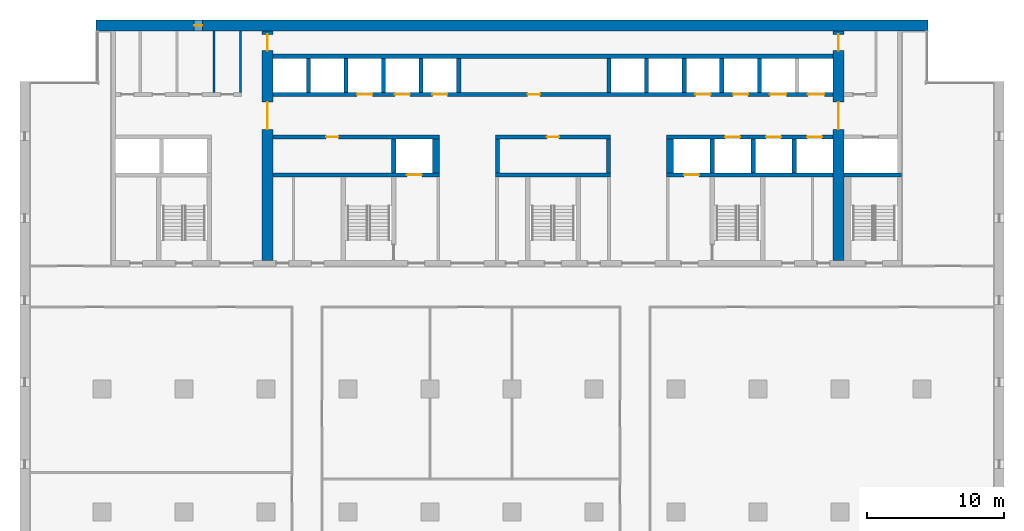
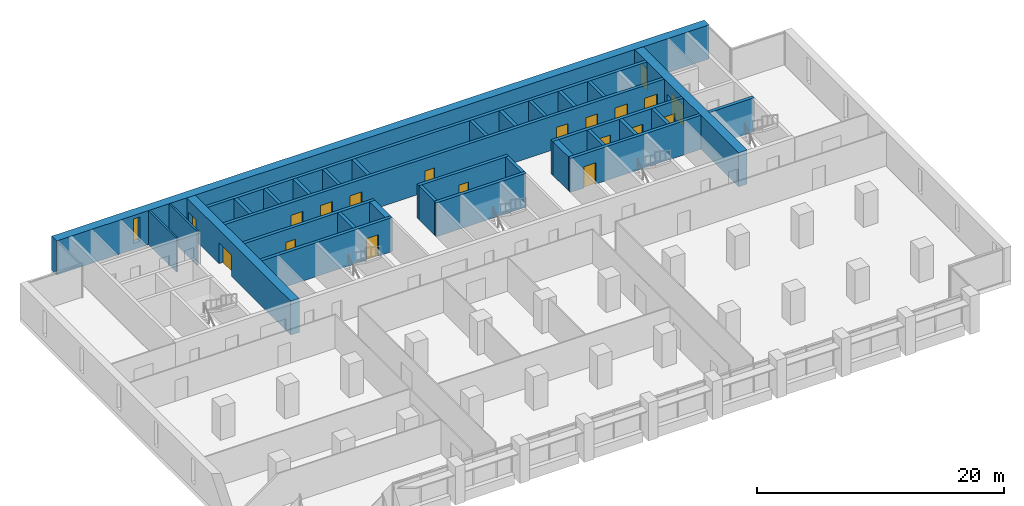
# One storey, part 10 of 15: 32 walls, 19 doors, 1 window, 20 openings.
"""IFC4 building model written with IfcOpenShell, lengths in metres."""

from ifc_helpers import new_model, si_unit, direction, frame, frame_2d, origin, place, context, subcontext, project, spatial, rectangle, extrude, material, layer, layer_set, type_object, element, fill, save


model = new_model("IFC4")

# Units and contexts
model_context = context("Model", 3, precision=1e-05, world=origin(), true_north=direction((0.0, 1.0)))
body_context = subcontext(model_context, "Body", "Model", "MODEL_VIEW")
ifc_project = project(units=[si_unit("LENGTHUNIT", "METRE"), si_unit("AREAUNIT", "SQUARE_METRE"), si_unit("VOLUMEUNIT", "CUBIC_METRE"), si_unit("PLANEANGLEUNIT", "RADIAN"), si_unit("MASSUNIT", "GRAM", prefix="KILO")], contexts=[model_context])

# Site, building, storey
site_placement = place(None, origin())
site = spatial("IfcSite", under=ifc_project, at=site_placement, CompositionType="ELEMENT")
building_placement = place(site_placement, origin())
building = spatial("IfcBuilding", under=site, at=building_placement, Name="Calvaro Tower", CompositionType="ELEMENT")
storey_placement = place(building_placement, frame((0.0, 0.0, 121.25)))
storey = spatial("IfcBuildingStorey", under=building, at=storey_placement, Name="L30", CompositionType="ELEMENT", Elevation=121.25)

# Walls
ifc_material_1 = material(Name="Blockwork partition", Category="masonry")
ifc_layer_1 = layer(ifc_material_1, 0.14990234375)
ifc_layer_set_1 = layer_set([ifc_layer_1], Name="Blockwork partition")
wall_type_1 = type_object("IfcWallType", Name="Core partition 150 EI 60", PredefinedType="PARTITIONING", material=ifc_layer_set_1)
wall_1_placement = place(storey_placement, frame((14.199951171875, 40.699951171875, 0.0), z_axis=(0.0, 0.0, 1.0), x_axis=(0.0, 1.0, 0.0)))
element("IfcWall", 1, at=wall_1_placement, inside=storey, type_object=wall_type_1, Name="Core partition", PredefinedType="PARTITIONING", context=body_context, shape_type="SweptSolid", body=[
    extrude(rectangle(XDim=4.5, YDim=0.14990234375, at=frame_2d((2.25, 0.0))), origin(), (0.0, 0.0, 1.0), 3.35009765625),
])
ifc_material_2 = material(Name="Blockwork partition", Category="masonry")
ifc_layer_2 = layer(ifc_material_2, 0.14990234375)
ifc_layer_set_2 = layer_set([ifc_layer_2], Name="Blockwork partition")
wall_type_2 = type_object("IfcWallType", Name="Core partition 150 REI 120", PredefinedType="PARTITIONING", material=ifc_layer_set_2)
wall_2_placement = place(storey_placement, frame((16.125, 40.699951171875, 0.0), z_axis=(0.0, 0.0, 1.0), x_axis=(0.0, 1.0, 0.0)))
element("IfcWall", 2, at=wall_2_placement, inside=storey, type_object=wall_type_2, Name="Core partition", PredefinedType="PARTITIONING", context=body_context, shape_type="SweptSolid", body=[
    extrude(rectangle(XDim=4.5, YDim=0.14990234375, at=frame_2d((2.25, 0.0))), origin(), (0.0, 0.0, 1.0), 3.35009765625),
])

# Wall, opening, door
ifc_material_3 = material(Name="Concrete C60/75", Category="concrete")
ifc_layer_3 = layer(ifc_material_3, 0.300048828125)
ifc_layer_set_3 = layer_set([ifc_layer_3], Name="Concrete C60/75")
wall_type_3 = type_object("IfcWallType", Name="Core wall C60/75 300", PredefinedType="SHEAR", material=ifc_layer_set_3)
wall_3_placement = place(storey_placement, frame((18.5, 34.64990234375, 0.0), z_axis=(0.0, 0.0, 1.0), x_axis=(1.0, 0.0, 0.0)))
wall_3 = element("IfcWall", 3, at=wall_3_placement, inside=storey, type_object=wall_type_3, Name="Core wall, lift shaft", PredefinedType="SHEAR", context=body_context, shape_type="SweptSolid", body=[
    extrude(rectangle(XDim=12.199951171875, YDim=0.300048828125, at=frame_2d((6.10009765625, 0.0))), origin(), (0.0, 0.0, 1.0), 3.35009765625),
])
opening_1_placement = place(wall_3_placement, frame((9.800048828125, 0.0, 0.0)))
opening_1 = element("IfcOpeningElement", 4, at=opening_1_placement, cuts=wall_3, Name="Opening FF1", PredefinedType="OPENING", context=body_context, shape_type="SweptSolid", body=[
    extrude(rectangle(XDim=1.10009765625, YDim=2.10009765625, at=frame_2d((0.550048828125, 1.050048828125))), frame((0.0, 0.159912109375, 0.0), z_axis=(0.0, -1.0, 0.0), x_axis=(1.0, 0.0, 0.0)), (0.0, 0.0, 1.0), 0.320068359375),
])
ifc_material_4 = material(Name="Stainless steel", Category="steel")
door_type_1 = type_object("IfcDoorType", Name="Landing door 1100 E 60", OperationType="SLIDING_TO_LEFT", PredefinedType="DOOR", material=ifc_material_4)
door_1_placement = place(opening_1_placement, origin())
door_1 = element("IfcDoor", 5, at=door_1_placement, inside=storey, type_object=door_type_1, Name="Landing door FF1", OperationType="SLIDING_TO_LEFT", OverallHeight=2.10009765625, OverallWidth=1.10009765625, PredefinedType="DOOR", context=body_context, shape_type="SweptSolid", body=[
    extrude(rectangle(XDim=1.10009765625, YDim=2.10009765625, at=frame_2d((0.550048828125, 1.050048828125))), frame((0.0, 0.02490234375, 0.0), z_axis=(0.0, -1.0, 0.0), x_axis=(1.0, 0.0, 0.0)), (0.0, 0.0, 1.0), 0.050048828125),
])
fill(opening_1, door_1)

# Wall
wall_4_placement = place(storey_placement, frame((34.800048828125, 34.64990234375, 0.0), z_axis=(0.0, 0.0, 1.0), x_axis=(1.0, 0.0, 0.0)))
element("IfcWall", 6, at=wall_4_placement, inside=storey, type_object=wall_type_3, Name="Core wall, lift shaft", PredefinedType="SHEAR", context=body_context, shape_type="SweptSolid", body=[
    extrude(rectangle(XDim=8.39990234375, YDim=0.300048828125, at=frame_2d((4.199951171875, 0.0))), origin(), (0.0, 0.0, 1.0), 3.35009765625),
])

# Wall, opening, door
wall_5_placement = place(storey_placement, frame((47.300048828125, 34.64990234375, 0.0), z_axis=(0.0, 0.0, 1.0), x_axis=(1.0, 0.0, 0.0)))
wall_5 = element("IfcWall", 7, at=wall_5_placement, inside=storey, type_object=wall_type_3, Name="Core wall, lift shaft", PredefinedType="SHEAR", context=body_context, shape_type="SweptSolid", body=[
    extrude(rectangle(XDim=12.199951171875, YDim=0.300048828125, at=frame_2d((6.10009765625, 0.0))), origin(), (0.0, 0.0, 1.0), 3.35009765625),
])
opening_2_placement = place(wall_5_placement, frame((1.300048828125, 0.0, 0.0)))
opening_2 = element("IfcOpeningElement", 8, at=opening_2_placement, cuts=wall_5, Name="Opening FF2", PredefinedType="OPENING", context=body_context, shape_type="SweptSolid", body=[
    extrude(rectangle(XDim=1.10009765625, YDim=2.10009765625, at=frame_2d((0.550048828125, 1.050048828125))), frame((0.0, 0.159912109375, 0.0), z_axis=(0.0, -1.0, 0.0), x_axis=(1.0, 0.0, 0.0)), (0.0, 0.0, 1.0), 0.320068359375),
])
door_2_placement = place(opening_2_placement, origin())
door_2 = element("IfcDoor", 9, at=door_2_placement, inside=storey, type_object=door_type_1, Name="Landing door FF2", OperationType="SLIDING_TO_LEFT", OverallHeight=2.10009765625, OverallWidth=1.10009765625, PredefinedType="DOOR", context=body_context, shape_type="SweptSolid", body=[
    extrude(rectangle(XDim=1.10009765625, YDim=2.10009765625, at=frame_2d((0.550048828125, 1.050048828125))), frame((0.0, 0.02490234375, 0.0), z_axis=(0.0, -1.0, 0.0), x_axis=(1.0, 0.0, 0.0)), (0.0, 0.0, 1.0), 0.050048828125),
])
fill(opening_2, door_2)

# Wall
wall_6_placement = place(storey_placement, frame((60.300048828125, 34.64990234375, 0.0), z_axis=(0.0, 0.0, 1.0), x_axis=(1.0, 0.0, 0.0)))
element("IfcWall", 10, at=wall_6_placement, inside=storey, type_object=wall_type_3, Name="Core wall, lift shaft", PredefinedType="SHEAR", context=body_context, shape_type="SweptSolid", body=[
    extrude(rectangle(XDim=4.199951171875, YDim=0.300048828125, at=frame_2d((2.10009765625, 0.0))), origin(), (0.0, 0.0, 1.0), 3.35009765625),
])

# Wall, opening, door
wall_7_placement = place(storey_placement, frame((30.699951171875, 37.449951171875, 0.0), z_axis=(0.0, 0.0, 1.0), x_axis=(-1.0, 0.0, 0.0)))
wall_7 = element("IfcWall", 11, at=wall_7_placement, inside=storey, type_object=wall_type_3, Name="Core wall, bay", PredefinedType="SHEAR", context=body_context, shape_type="SweptSolid", body=[
    extrude(rectangle(XDim=12.199951171875, YDim=0.300048828125, at=frame_2d((6.10009765625, 0.0))), origin(), (0.0, 0.0, 1.0), 3.35009765625),
])
opening_3_placement = place(wall_7_placement, frame((7.39990234375, 0.0, 0.0)))
opening_3 = element("IfcOpeningElement", 12, at=opening_3_placement, cuts=wall_7, Name="Opening RD9E", PredefinedType="OPENING", context=body_context, shape_type="SweptSolid", body=[
    extrude(rectangle(XDim=0.89990234375, YDim=2.10009765625, at=frame_2d((0.449951171875, 1.050048828125))), frame((0.0, 0.159912109375, 0.0), z_axis=(0.0, -1.0, 0.0), x_axis=(1.0, 0.0, 0.0)), (0.0, 0.0, 1.0), 0.320068359375),
])
ifc_material_5 = material(Name="Steel door set", Category="steel")
door_type_2 = type_object("IfcDoorType", Name="Room door 900 FD60", OperationType="SINGLE_SWING_LEFT", PredefinedType="DOOR", material=ifc_material_5)
door_3_placement = place(opening_3_placement, origin())
door_3 = element("IfcDoor", 13, at=door_3_placement, inside=storey, type_object=door_type_2, Name="Room door", OperationType="SINGLE_SWING_LEFT", OverallHeight=2.10009765625, OverallWidth=0.89990234375, PredefinedType="DOOR", context=body_context, shape_type="SweptSolid", body=[
    extrude(rectangle(XDim=0.89990234375, YDim=2.10009765625, at=frame_2d((0.449951171875, 1.050048828125))), frame((0.0, 0.02490234375, 0.0), z_axis=(0.0, -1.0, 0.0), x_axis=(1.0, 0.0, 0.0)), (0.0, 0.0, 1.0), 0.050048828125),
])
fill(opening_3, door_3)

wall_8_placement = place(storey_placement, frame((43.199951171875, 37.449951171875, 0.0), z_axis=(0.0, 0.0, 1.0), x_axis=(-1.0, 0.0, 0.0)))
wall_8 = element("IfcWall", 14, at=wall_8_placement, inside=storey, type_object=wall_type_3, Name="Core wall, bay", PredefinedType="SHEAR", context=body_context, shape_type="SweptSolid", body=[
    extrude(rectangle(XDim=8.39990234375, YDim=0.300048828125, at=frame_2d((4.199951171875, 0.0))), origin(), (0.0, 0.0, 1.0), 3.35009765625),
])
opening_4_placement = place(wall_8_placement, frame((3.75, 0.0, 0.0)))
opening_4 = element("IfcOpeningElement", 15, at=opening_4_placement, cuts=wall_8, Name="Opening RD9E", PredefinedType="OPENING", context=body_context, shape_type="SweptSolid", body=[
    extrude(rectangle(XDim=0.89990234375, YDim=2.10009765625, at=frame_2d((0.449951171875, 1.050048828125))), frame((0.0, 0.159912109375, 0.0), z_axis=(0.0, -1.0, 0.0), x_axis=(1.0, 0.0, 0.0)), (0.0, 0.0, 1.0), 0.320068359375),
])
door_4_placement = place(opening_4_placement, origin())
door_4 = element("IfcDoor", 16, at=door_4_placement, inside=storey, type_object=door_type_2, Name="Room door", OperationType="SINGLE_SWING_RIGHT", OverallHeight=2.10009765625, OverallWidth=0.89990234375, PredefinedType="DOOR", context=body_context, shape_type="SweptSolid", body=[
    extrude(rectangle(XDim=0.89990234375, YDim=2.10009765625, at=frame_2d((0.449951171875, 1.050048828125))), frame((0.0, 0.02490234375, 0.0), z_axis=(0.0, -1.0, 0.0), x_axis=(1.0, 0.0, 0.0)), (0.0, 0.0, 1.0), 0.050048828125),
])
fill(opening_4, door_4)

# Wall, openings, doors
wall_9_placement = place(storey_placement, frame((47.300048828125, 37.449951171875, 0.0), z_axis=(0.0, 0.0, 1.0), x_axis=(1.0, 0.0, 0.0)))
wall_9 = element("IfcWall", 17, at=wall_9_placement, inside=storey, type_object=wall_type_3, Name="Core wall, lift shaft", PredefinedType="SHEAR", context=body_context, shape_type="SweptSolid", body=[
    extrude(rectangle(XDim=12.199951171875, YDim=0.300048828125, at=frame_2d((6.10009765625, 0.0))), origin(), (0.0, 0.0, 1.0), 3.35009765625),
])
opening_5_placement = place(wall_9_placement, frame((4.300048828125, 0.0, 0.0)))
opening_5 = element("IfcOpeningElement", 18, at=opening_5_placement, cuts=wall_9, Name="Opening MR1", PredefinedType="OPENING", context=body_context, shape_type="SweptSolid", body=[
    extrude(rectangle(XDim=1.10009765625, YDim=2.10009765625, at=frame_2d((0.550048828125, 1.050048828125))), frame((0.0, 0.159912109375, 0.0), z_axis=(0.0, -1.0, 0.0), x_axis=(1.0, 0.0, 0.0)), (0.0, 0.0, 1.0), 0.320068359375),
])
opening_6_placement = place(wall_9_placement, frame((7.300048828125, 0.0, 0.0)))
opening_6 = element("IfcOpeningElement", 19, at=opening_6_placement, cuts=wall_9, Name="Opening MR2", PredefinedType="OPENING", context=body_context, shape_type="SweptSolid", body=[
    extrude(rectangle(XDim=1.10009765625, YDim=2.10009765625, at=frame_2d((0.550048828125, 1.050048828125))), frame((0.0, 0.159912109375, 0.0), z_axis=(0.0, -1.0, 0.0), x_axis=(1.0, 0.0, 0.0)), (0.0, 0.0, 1.0), 0.320068359375),
])
opening_7_placement = place(wall_9_placement, frame((10.300048828125, 0.0, 0.0)))
opening_7 = element("IfcOpeningElement", 20, at=opening_7_placement, cuts=wall_9, Name="Opening MR3", PredefinedType="OPENING", context=body_context, shape_type="SweptSolid", body=[
    extrude(rectangle(XDim=1.10009765625, YDim=2.10009765625, at=frame_2d((0.550048828125, 1.050048828125))), frame((0.0, 0.159912109375, 0.0), z_axis=(0.0, -1.0, 0.0), x_axis=(1.0, 0.0, 0.0)), (0.0, 0.0, 1.0), 0.320068359375),
])
door_5_placement = place(opening_5_placement, origin())
door_5 = element("IfcDoor", 21, at=door_5_placement, inside=storey, type_object=door_type_1, Name="Landing door MR1", OperationType="SLIDING_TO_LEFT", OverallHeight=2.10009765625, OverallWidth=1.10009765625, PredefinedType="DOOR", context=body_context, shape_type="SweptSolid", body=[
    extrude(rectangle(XDim=1.10009765625, YDim=2.10009765625, at=frame_2d((0.550048828125, 1.050048828125))), frame((0.0, 0.02490234375, 0.0), z_axis=(0.0, -1.0, 0.0), x_axis=(1.0, 0.0, 0.0)), (0.0, 0.0, 1.0), 0.050048828125),
])
fill(opening_5, door_5)
door_6_placement = place(opening_6_placement, origin())
door_6 = element("IfcDoor", 22, at=door_6_placement, inside=storey, type_object=door_type_1, Name="Landing door MR2", OperationType="SLIDING_TO_LEFT", OverallHeight=2.10009765625, OverallWidth=1.10009765625, PredefinedType="DOOR", context=body_context, shape_type="SweptSolid", body=[
    extrude(rectangle(XDim=1.10009765625, YDim=2.10009765625, at=frame_2d((0.550048828125, 1.050048828125))), frame((0.0, 0.02490234375, 0.0), z_axis=(0.0, -1.0, 0.0), x_axis=(1.0, 0.0, 0.0)), (0.0, 0.0, 1.0), 0.050048828125),
])
fill(opening_6, door_6)
door_7_placement = place(opening_7_placement, origin())
door_7 = element("IfcDoor", 23, at=door_7_placement, inside=storey, type_object=door_type_1, Name="Landing door MR3", OperationType="SLIDING_TO_LEFT", OverallHeight=2.10009765625, OverallWidth=1.10009765625, PredefinedType="DOOR", context=body_context, shape_type="SweptSolid", body=[
    extrude(rectangle(XDim=1.10009765625, YDim=2.10009765625, at=frame_2d((0.550048828125, 1.050048828125))), frame((0.0, 0.02490234375, 0.0), z_axis=(0.0, -1.0, 0.0), x_axis=(1.0, 0.0, 0.0)), (0.0, 0.0, 1.0), 0.050048828125),
])
fill(opening_7, door_7)

# Walls
for number, where, z_axis, x_axis, name in (
    (24, (27.35009765625, 34.800048828125, 0.0), (0.0, 0.0, 1.0), (0.0, 1.0, 0.0), "Core wall, lift shaft"),
    (25, (34.949951171875, 34.800048828125, 0.0), (0.0, 0.0, 1.0), (0.0, 1.0, 0.0), "Core wall, lift shaft"),
    (26, (43.050048828125, 34.800048828125, 0.0), (0.0, 0.0, 1.0), (0.0, 1.0, 0.0), "Core wall, lift shaft"),
    (27, (50.64990234375, 34.800048828125, 0.0), (0.0, 0.0, 1.0), (0.0, 1.0, 0.0), "Core wall, lift shaft"),
):
    element("IfcWall", number, at=place(storey_placement, frame(where, z_axis=z_axis, x_axis=x_axis)), inside=storey, type_object=wall_type_3, Name=name, PredefinedType="SHEAR", context=body_context, shape_type="SweptSolid", body=[
        extrude(rectangle(XDim=2.5, YDim=0.300048828125, at=frame_2d((1.25, 0.0))), origin(), (0.0, 0.0, 1.0), 3.35009765625),
    ])

# Wall, openings, doors
wall_10_placement = place(storey_placement, frame((18.5, 40.550048828125, 0.0), z_axis=(0.0, 0.0, 1.0), x_axis=(1.0, 0.0, 0.0)))
wall_10 = element("IfcWall", 28, at=wall_10_placement, inside=storey, type_object=wall_type_3, Name="Core wall, bay", PredefinedType="SHEAR", context=body_context, shape_type="SweptSolid", body=[
    extrude(rectangle(XDim=41.0, YDim=0.300048828125, at=frame_2d((20.5, 0.0))), origin(), (0.0, 0.0, 1.0), 3.35009765625),
])
opening_8_placement = place(wall_10_placement, frame((18.64990234375, 0.0, 0.0)))
opening_8 = element("IfcOpeningElement", 29, at=opening_8_placement, cuts=wall_10, Name="Opening RD9E", PredefinedType="OPENING", context=body_context, shape_type="SweptSolid", body=[
    extrude(rectangle(XDim=0.89990234375, YDim=2.10009765625, at=frame_2d((0.449951171875, 1.050048828125))), frame((0.0, 0.159912109375, 0.0), z_axis=(0.0, -1.0, 0.0), x_axis=(1.0, 0.0, 0.0)), (0.0, 0.0, 1.0), 0.320068359375),
])
opening_9_placement = place(wall_10_placement, frame((6.175048828125, 0.0, 0.0)))
opening_9 = element("IfcOpeningElement", 30, at=opening_9_placement, cuts=wall_10, Name="Opening MR4", PredefinedType="OPENING", context=body_context, shape_type="SweptSolid", body=[
    extrude(rectangle(XDim=1.10009765625, YDim=2.10009765625, at=frame_2d((0.550048828125, 1.050048828125))), frame((0.0, 0.159912109375, 0.0), z_axis=(0.0, -1.0, 0.0), x_axis=(1.0, 0.0, 0.0)), (0.0, 0.0, 1.0), 0.320068359375),
])
opening_10_placement = place(wall_10_placement, frame((8.925048828125, 0.0, 0.0)))
opening_10 = element("IfcOpeningElement", 31, at=opening_10_placement, cuts=wall_10, Name="Opening MR5", PredefinedType="OPENING", context=body_context, shape_type="SweptSolid", body=[
    extrude(rectangle(XDim=1.10009765625, YDim=2.10009765625, at=frame_2d((0.550048828125, 1.050048828125))), frame((0.0, 0.159912109375, 0.0), z_axis=(0.0, -1.0, 0.0), x_axis=(1.0, 0.0, 0.0)), (0.0, 0.0, 1.0), 0.320068359375),
])
opening_11_placement = place(wall_10_placement, frame((11.675048828125, 0.0, 0.0)))
opening_11 = element("IfcOpeningElement", 32, at=opening_11_placement, cuts=wall_10, Name="Opening MR6", PredefinedType="OPENING", context=body_context, shape_type="SweptSolid", body=[
    extrude(rectangle(XDim=1.10009765625, YDim=2.10009765625, at=frame_2d((0.550048828125, 1.050048828125))), frame((0.0, 0.159912109375, 0.0), z_axis=(0.0, -1.0, 0.0), x_axis=(1.0, 0.0, 0.0)), (0.0, 0.0, 1.0), 0.320068359375),
])
opening_12_placement = place(wall_10_placement, frame((30.925048828125, 0.0, 0.0)))
opening_12 = element("IfcOpeningElement", 33, at=opening_12_placement, cuts=wall_10, Name="Opening MR7", PredefinedType="OPENING", context=body_context, shape_type="SweptSolid", body=[
    extrude(rectangle(XDim=1.10009765625, YDim=2.10009765625, at=frame_2d((0.550048828125, 1.050048828125))), frame((0.0, 0.159912109375, 0.0), z_axis=(0.0, -1.0, 0.0), x_axis=(1.0, 0.0, 0.0)), (0.0, 0.0, 1.0), 0.320068359375),
])
opening_13_placement = place(wall_10_placement, frame((33.675048828125, 0.0, 0.0)))
opening_13 = element("IfcOpeningElement", 34, at=opening_13_placement, cuts=wall_10, Name="Opening MR8", PredefinedType="OPENING", context=body_context, shape_type="SweptSolid", body=[
    extrude(rectangle(XDim=1.10009765625, YDim=2.10009765625, at=frame_2d((0.550048828125, 1.050048828125))), frame((0.0, 0.159912109375, 0.0), z_axis=(0.0, -1.0, 0.0), x_axis=(1.0, 0.0, 0.0)), (0.0, 0.0, 1.0), 0.320068359375),
])
opening_14_placement = place(wall_10_placement, frame((36.375, 0.0, 0.0)))
opening_14 = element("IfcOpeningElement", 35, at=opening_14_placement, cuts=wall_10, Name="Opening SV1", PredefinedType="OPENING", context=body_context, shape_type="SweptSolid", body=[
    extrude(rectangle(XDim=1.199951171875, YDim=2.10009765625, at=frame_2d((0.60009765625, 1.050048828125))), frame((0.0, 0.159912109375, 0.0), z_axis=(0.0, -1.0, 0.0), x_axis=(1.0, 0.0, 0.0)), (0.0, 0.0, 1.0), 0.320068359375),
])
opening_15_placement = place(wall_10_placement, frame((39.14990234375, 0.0, 0.0)))
opening_15 = element("IfcOpeningElement", 36, at=opening_15_placement, cuts=wall_10, Name="Opening SV2", PredefinedType="OPENING", context=body_context, shape_type="SweptSolid", body=[
    extrude(rectangle(XDim=1.199951171875, YDim=2.10009765625, at=frame_2d((0.60009765625, 1.050048828125))), frame((0.0, 0.159912109375, 0.0), z_axis=(0.0, -1.0, 0.0), x_axis=(1.0, 0.0, 0.0)), (0.0, 0.0, 1.0), 0.320068359375),
])
door_8_placement = place(opening_9_placement, origin())
door_8 = element("IfcDoor", 37, at=door_8_placement, inside=storey, type_object=door_type_1, Name="Landing door MR4", OperationType="SLIDING_TO_LEFT", OverallHeight=2.10009765625, OverallWidth=1.10009765625, PredefinedType="DOOR", context=body_context, shape_type="SweptSolid", body=[
    extrude(rectangle(XDim=1.10009765625, YDim=2.10009765625, at=frame_2d((0.550048828125, 1.050048828125))), frame((0.0, 0.02490234375, 0.0), z_axis=(0.0, -1.0, 0.0), x_axis=(1.0, 0.0, 0.0)), (0.0, 0.0, 1.0), 0.050048828125),
])
fill(opening_9, door_8)
door_9_placement = place(opening_10_placement, origin())
door_9 = element("IfcDoor", 38, at=door_9_placement, inside=storey, type_object=door_type_1, Name="Landing door MR5", OperationType="SLIDING_TO_LEFT", OverallHeight=2.10009765625, OverallWidth=1.10009765625, PredefinedType="DOOR", context=body_context, shape_type="SweptSolid", body=[
    extrude(rectangle(XDim=1.10009765625, YDim=2.10009765625, at=frame_2d((0.550048828125, 1.050048828125))), frame((0.0, 0.02490234375, 0.0), z_axis=(0.0, -1.0, 0.0), x_axis=(1.0, 0.0, 0.0)), (0.0, 0.0, 1.0), 0.050048828125),
])
fill(opening_10, door_9)
door_10_placement = place(opening_11_placement, origin())
door_10 = element("IfcDoor", 39, at=door_10_placement, inside=storey, type_object=door_type_1, Name="Landing door MR6", OperationType="SLIDING_TO_LEFT", OverallHeight=2.10009765625, OverallWidth=1.10009765625, PredefinedType="DOOR", context=body_context, shape_type="SweptSolid", body=[
    extrude(rectangle(XDim=1.10009765625, YDim=2.10009765625, at=frame_2d((0.550048828125, 1.050048828125))), frame((0.0, 0.02490234375, 0.0), z_axis=(0.0, -1.0, 0.0), x_axis=(1.0, 0.0, 0.0)), (0.0, 0.0, 1.0), 0.050048828125),
])
fill(opening_11, door_10)
door_11_placement = place(opening_12_placement, origin())
door_11 = element("IfcDoor", 40, at=door_11_placement, inside=storey, type_object=door_type_1, Name="Landing door MR7", OperationType="SLIDING_TO_LEFT", OverallHeight=2.10009765625, OverallWidth=1.10009765625, PredefinedType="DOOR", context=body_context, shape_type="SweptSolid", body=[
    extrude(rectangle(XDim=1.10009765625, YDim=2.10009765625, at=frame_2d((0.550048828125, 1.050048828125))), frame((0.0, 0.02490234375, 0.0), z_axis=(0.0, -1.0, 0.0), x_axis=(1.0, 0.0, 0.0)), (0.0, 0.0, 1.0), 0.050048828125),
])
fill(opening_12, door_11)
door_12_placement = place(opening_13_placement, origin())
door_12 = element("IfcDoor", 41, at=door_12_placement, inside=storey, type_object=door_type_1, Name="Landing door MR8", OperationType="SLIDING_TO_LEFT", OverallHeight=2.10009765625, OverallWidth=1.10009765625, PredefinedType="DOOR", context=body_context, shape_type="SweptSolid", body=[
    extrude(rectangle(XDim=1.10009765625, YDim=2.10009765625, at=frame_2d((0.550048828125, 1.050048828125))), frame((0.0, 0.02490234375, 0.0), z_axis=(0.0, -1.0, 0.0), x_axis=(1.0, 0.0, 0.0)), (0.0, 0.0, 1.0), 0.050048828125),
])
fill(opening_13, door_12)
ifc_material_6 = material(Name="Stainless steel", Category="steel")
door_type_3 = type_object("IfcDoorType", Name="Landing door 1200 E 60", OperationType="SLIDING_TO_LEFT", PredefinedType="DOOR", material=ifc_material_6)
door_13_placement = place(opening_14_placement, origin())
door_13 = element("IfcDoor", 42, at=door_13_placement, inside=storey, type_object=door_type_3, Name="Landing door SV1", OperationType="SLIDING_TO_LEFT", OverallHeight=2.10009765625, OverallWidth=1.199951171875, PredefinedType="DOOR", context=body_context, shape_type="SweptSolid", body=[
    extrude(rectangle(XDim=1.199951171875, YDim=2.10009765625, at=frame_2d((0.60009765625, 1.050048828125))), frame((0.0, 0.02490234375, 0.0), z_axis=(0.0, -1.0, 0.0), x_axis=(1.0, 0.0, 0.0)), (0.0, 0.0, 1.0), 0.050048828125),
])
fill(opening_14, door_13)
door_14_placement = place(opening_15_placement, origin())
door_14 = element("IfcDoor", 43, at=door_14_placement, inside=storey, type_object=door_type_3, Name="Landing door SV2", OperationType="SLIDING_TO_LEFT", OverallHeight=2.10009765625, OverallWidth=1.199951171875, PredefinedType="DOOR", context=body_context, shape_type="SweptSolid", body=[
    extrude(rectangle(XDim=1.199951171875, YDim=2.10009765625, at=frame_2d((0.60009765625, 1.050048828125))), frame((0.0, 0.02490234375, 0.0), z_axis=(0.0, -1.0, 0.0), x_axis=(1.0, 0.0, 0.0)), (0.0, 0.0, 1.0), 0.050048828125),
])
fill(opening_15, door_14)
door_15_placement = place(opening_8_placement, origin())
door_15 = element("IfcDoor", 44, at=door_15_placement, inside=storey, type_object=door_type_2, Name="Room door", OperationType="SINGLE_SWING_LEFT", OverallHeight=2.10009765625, OverallWidth=0.89990234375, PredefinedType="DOOR", context=body_context, shape_type="SweptSolid", body=[
    extrude(rectangle(XDim=0.89990234375, YDim=2.10009765625, at=frame_2d((0.449951171875, 1.050048828125))), frame((0.0, 0.02490234375, 0.0), z_axis=(0.0, -1.0, 0.0), x_axis=(1.0, 0.0, 0.0)), (0.0, 0.0, 1.0), 0.050048828125),
])
fill(opening_8, door_15)

# Walls
wall_11_placement = place(storey_placement, frame((18.5, 43.35009765625, 0.0), z_axis=(0.0, 0.0, 1.0), x_axis=(1.0, 0.0, 0.0)))
element("IfcWall", 45, at=wall_11_placement, inside=storey, type_object=wall_type_3, Name="Core wall, lift shaft", PredefinedType="SHEAR", context=body_context, shape_type="SweptSolid", body=[
    extrude(rectangle(XDim=41.0, YDim=0.300048828125, at=frame_2d((20.5, 0.0))), origin(), (0.0, 0.0, 1.0), 3.35009765625),
])
for number, where, z_axis, x_axis, name in (
    (46, (53.64990234375, 34.800048828125, 0.0), (0.0, 0.0, 1.0), (0.0, 1.0, 0.0), "Core wall, lift shaft"),
    (47, (56.64990234375, 34.800048828125, 0.0), (0.0, 0.0, 1.0), (0.0, 1.0, 0.0), "Core wall, lift shaft"),
    (48, (21.10009765625, 40.699951171875, 0.0), (0.0, 0.0, 1.0), (0.0, 1.0, 0.0), "Core wall, lift shaft"),
    (49, (23.85009765625, 40.699951171875, 0.0), (0.0, 0.0, 1.0), (0.0, 1.0, 0.0), "Core wall, lift shaft"),
    (50, (26.60009765625, 40.699951171875, 0.0), (0.0, 0.0, 1.0), (0.0, 1.0, 0.0), "Core wall, lift shaft"),
    (51, (29.35009765625, 40.699951171875, 0.0), (0.0, 0.0, 1.0), (0.0, 1.0, 0.0), "Core wall, lift shaft"),
    (52, (32.10009765625, 40.699951171875, 0.0), (0.0, 0.0, 1.0), (0.0, 1.0, 0.0), "Core wall, lift shaft"),
    (53, (43.10009765625, 40.699951171875, 0.0), (0.0, 0.0, 1.0), (0.0, 1.0, 0.0), "Core wall, lift shaft"),
    (54, (45.85009765625, 40.699951171875, 0.0), (0.0, 0.0, 1.0), (0.0, 1.0, 0.0), "Core wall, lift shaft"),
    (55, (48.60009765625, 40.699951171875, 0.0), (0.0, 0.0, 1.0), (0.0, 1.0, 0.0), "Core wall, lift shaft"),
    (56, (51.35009765625, 40.699951171875, 0.0), (0.0, 0.0, 1.0), (0.0, 1.0, 0.0), "Core wall, lift shaft"),
    (57, (54.10009765625, 40.699951171875, 0.0), (0.0, 0.0, 1.0), (0.0, 1.0, 0.0), "Core wall, lift shaft"),
):
    element("IfcWall", number, at=place(storey_placement, frame(where, z_axis=z_axis, x_axis=x_axis)), inside=storey, type_object=wall_type_3, Name=name, PredefinedType="SHEAR", context=body_context, shape_type="SweptSolid", body=[
        extrude(rectangle(XDim=2.5, YDim=0.300048828125, at=frame_2d((1.25, 0.0))), origin(), (0.0, 0.0, 1.0), 3.35009765625),
    ])
ifc_material_7 = material(Name="Concrete C60/75", Category="concrete")
ifc_layer_4 = layer(ifc_material_7, 0.5)
ifc_layer_set_4 = layer_set([ifc_layer_4], Name="Concrete C60/75")
wall_type_4 = type_object("IfcWallType", Name="Core wall C60/75 500", PredefinedType="SHEAR", material=ifc_layer_set_4)
for number, where, z_axis, x_axis, name in (
    (58, (30.449951171875, 34.800048828125, 0.0), (0.0, 0.0, 1.0), (0.0, 1.0, 0.0), "Core wall, lift shaft"),
    (59, (47.550048828125, 34.800048828125, 0.0), (0.0, 0.0, 1.0), (0.0, 1.0, 0.0), "Core wall, lift shaft"),
):
    element("IfcWall", number, at=place(storey_placement, frame(where, z_axis=z_axis, x_axis=x_axis)), inside=storey, type_object=wall_type_4, Name=name, PredefinedType="SHEAR", context=body_context, shape_type="SweptSolid", body=[
        extrude(rectangle(XDim=2.5, YDim=0.5, at=frame_2d((1.25, 0.0))), origin(), (0.0, 0.0, 1.0), 3.35009765625),
    ])

# Wall, openings, doors
ifc_material_8 = material(Name="Concrete C60/75", Category="concrete")
ifc_layer_5 = layer(ifc_material_8, 0.800048828125)
ifc_layer_set_5 = layer_set([ifc_layer_5], Name="Concrete C60/75")
wall_type_5 = type_object("IfcWallType", Name="Core wall C60/75 800", PredefinedType="SHEAR", material=ifc_layer_set_5)
wall_12_placement = place(storey_placement, frame((18.10009765625, 28.39990234375, 0.0), z_axis=(0.0, 0.0, 1.0), x_axis=(0.0, 1.0, 0.0)))
wall_12 = element("IfcWall", 60, at=wall_12_placement, inside=storey, type_object=wall_type_5, Name="Core wall, cross shear wall", PredefinedType="SHEAR", context=body_context, shape_type="SweptSolid", body=[
    extrude(rectangle(XDim=16.800048828125, YDim=0.800048828125, at=frame_2d((8.39990234375, 0.0))), origin(), (0.0, 0.0, 1.0), 3.35009765625),
])
opening_16_placement = place(wall_12_placement, frame((9.60009765625, 0.0, 0.0)))
opening_16 = element("IfcOpeningElement", 61, at=opening_16_placement, cuts=wall_12, Name="Opening DD20D", PredefinedType="OPENING", context=body_context, shape_type="SweptSolid", body=[
    extrude(rectangle(XDim=2.0, YDim=2.10009765625, at=frame_2d((1.0, 1.050048828125))), frame((0.0, 0.409912109375, 0.0), z_axis=(0.0, -1.0, 0.0), x_axis=(1.0, 0.0, 0.0)), (0.0, 0.0, 1.0), 0.820068359375),
])
opening_17_placement = place(wall_12_placement, frame((15.35009765625, 0.0, 0.0)))
opening_17 = element("IfcOpeningElement", 62, at=opening_17_placement, cuts=wall_12, Name="Opening FD12C", PredefinedType="OPENING", context=body_context, shape_type="SweptSolid", body=[
    extrude(rectangle(XDim=1.199951171875, YDim=2.10009765625, at=frame_2d((0.60009765625, 1.050048828125))), frame((0.0, 0.409912109375, 0.0), z_axis=(0.0, -1.0, 0.0), x_axis=(1.0, 0.0, 0.0)), (0.0, 0.0, 1.0), 0.820068359375),
])
ifc_material_9 = material(Name="Steel door set", Category="steel")
door_type_4 = type_object("IfcDoorType", Name="Fire door 1200 FD30", OperationType="SINGLE_SWING_LEFT", PredefinedType="DOOR", material=ifc_material_9)
door_16_placement = place(opening_17_placement, origin())
door_16 = element("IfcDoor", 63, at=door_16_placement, inside=storey, type_object=door_type_4, Name="Fire door", OperationType="SINGLE_SWING_LEFT", OverallHeight=2.10009765625, OverallWidth=1.199951171875, PredefinedType="DOOR", context=body_context, shape_type="SweptSolid", body=[
    extrude(rectangle(XDim=1.199951171875, YDim=2.10009765625, at=frame_2d((0.60009765625, 1.050048828125))), frame((0.0, 0.02490234375, 0.0), z_axis=(0.0, -1.0, 0.0), x_axis=(1.0, 0.0, 0.0)), (0.0, 0.0, 1.0), 0.050048828125),
])
fill(opening_17, door_16)
ifc_material_10 = material(Name="Steel door set", Category="steel")
door_type_5 = type_object("IfcDoorType", Name="Lobby double door 2000 FD30S", OperationType="DOUBLE_DOOR_SINGLE_SWING", PredefinedType="DOOR", material=ifc_material_10)
door_17_placement = place(opening_16_placement, origin())
door_17 = element("IfcDoor", 64, at=door_17_placement, inside=storey, type_object=door_type_5, Name="Lobby double door", OperationType="DOUBLE_DOOR_SINGLE_SWING", OverallHeight=2.10009765625, OverallWidth=2.0, PredefinedType="DOOR", context=body_context, shape_type="SweptSolid", body=[
    extrude(rectangle(XDim=2.0, YDim=2.10009765625, at=frame_2d((1.0, 1.050048828125))), frame((0.0, 0.02490234375, 0.0), z_axis=(0.0, -1.0, 0.0), x_axis=(1.0, 0.0, 0.0)), (0.0, 0.0, 1.0), 0.050048828125),
])
fill(opening_16, door_17)

wall_13_placement = place(storey_placement, frame((59.89990234375, 28.39990234375, 0.0), z_axis=(0.0, 0.0, 1.0), x_axis=(0.0, 1.0, 0.0)))
wall_13 = element("IfcWall", 65, at=wall_13_placement, inside=storey, type_object=wall_type_5, Name="Core wall, cross shear wall", PredefinedType="SHEAR", context=body_context, shape_type="SweptSolid", body=[
    extrude(rectangle(XDim=16.800048828125, YDim=0.800048828125, at=frame_2d((8.39990234375, 0.0))), origin(), (0.0, 0.0, 1.0), 3.35009765625),
])
opening_18_placement = place(wall_13_placement, frame((9.60009765625, 0.0, 0.0)))
opening_18 = element("IfcOpeningElement", 66, at=opening_18_placement, cuts=wall_13, Name="Opening DD20D", PredefinedType="OPENING", context=body_context, shape_type="SweptSolid", body=[
    extrude(rectangle(XDim=2.0, YDim=2.10009765625, at=frame_2d((1.0, 1.050048828125))), frame((0.0, 0.409912109375, 0.0), z_axis=(0.0, -1.0, 0.0), x_axis=(1.0, 0.0, 0.0)), (0.0, 0.0, 1.0), 0.820068359375),
])
opening_19_placement = place(wall_13_placement, frame((15.35009765625, 0.0, 0.0)))
opening_19 = element("IfcOpeningElement", 67, at=opening_19_placement, cuts=wall_13, Name="Opening FD12C", PredefinedType="OPENING", context=body_context, shape_type="SweptSolid", body=[
    extrude(rectangle(XDim=1.199951171875, YDim=2.10009765625, at=frame_2d((0.60009765625, 1.050048828125))), frame((0.0, 0.409912109375, 0.0), z_axis=(0.0, -1.0, 0.0), x_axis=(1.0, 0.0, 0.0)), (0.0, 0.0, 1.0), 0.820068359375),
])
door_18_placement = place(opening_19_placement, origin())
door_18 = element("IfcDoor", 68, at=door_18_placement, inside=storey, type_object=door_type_4, Name="Fire door", OperationType="SINGLE_SWING_LEFT", OverallHeight=2.10009765625, OverallWidth=1.199951171875, PredefinedType="DOOR", context=body_context, shape_type="SweptSolid", body=[
    extrude(rectangle(XDim=1.199951171875, YDim=2.10009765625, at=frame_2d((0.60009765625, 1.050048828125))), frame((0.0, 0.02490234375, 0.0), z_axis=(0.0, -1.0, 0.0), x_axis=(1.0, 0.0, 0.0)), (0.0, 0.0, 1.0), 0.050048828125),
])
fill(opening_19, door_18)
door_19_placement = place(opening_18_placement, origin())
door_19 = element("IfcDoor", 69, at=door_19_placement, inside=storey, type_object=door_type_5, Name="Lobby double door", OperationType="DOUBLE_DOOR_SINGLE_SWING", OverallHeight=2.10009765625, OverallWidth=2.0, PredefinedType="DOOR", context=body_context, shape_type="SweptSolid", body=[
    extrude(rectangle(XDim=2.0, YDim=2.10009765625, at=frame_2d((1.0, 1.050048828125))), frame((0.0, 0.02490234375, 0.0), z_axis=(0.0, -1.0, 0.0), x_axis=(1.0, 0.0, 0.0)), (0.0, 0.0, 1.0), 0.050048828125),
])
fill(opening_18, door_19)

# Wall, opening, window
ifc_material_11 = material(Name="Concrete C60/75", Category="concrete")
ifc_layer_6 = layer(ifc_material_11, 0.800048828125)
ifc_layer_set_6 = layer_set([ifc_layer_6], Name="Concrete C60/75")
wall_type_6 = type_object("IfcWallType", Name="Rear core wall 800 C60/75", PredefinedType="SHEAR", material=ifc_layer_set_6)
wall_14_placement = place(storey_placement, frame((5.550048828125, 45.60009765625, 0.0), z_axis=(0.0, 0.0, 1.0), x_axis=(1.0, 0.0, 0.0)))
wall_14 = element("IfcWall", 70, at=wall_14_placement, inside=storey, type_object=wall_type_6, Name="North core wall", PredefinedType="SHEAR", context=body_context, shape_type="SweptSolid", body=[
    extrude(rectangle(XDim=60.89990234375, YDim=0.800048828125, at=frame_2d((30.449951171875, 0.0))), origin(), (0.0, 0.0, 1.0), 3.35009765625),
])
opening_20_placement = place(wall_14_placement, frame((7.199951171875, 0.0, 0.60009765625)))
opening_20 = element("IfcOpeningElement", 71, at=opening_20_placement, cuts=wall_14, Name="Opening WN02", PredefinedType="OPENING", context=body_context, shape_type="SweptSolid", body=[
    extrude(rectangle(XDim=0.60009765625, YDim=2.39990234375, at=frame_2d((0.300048828125, 1.199951171875))), frame((0.0, 0.409912109375, 0.0), z_axis=(0.0, -1.0, 0.0), x_axis=(1.0, 0.0, 0.0)), (0.0, 0.0, 1.0), 0.820068359375),
])
ifc_material_12 = material(Name="Glass", Category="glass")
window_type = type_object("IfcWindowType", Name="Slit window 600 x 2400", PartitioningType="SINGLE_PANEL", PredefinedType="WINDOW", material=ifc_material_12)
window_placement = place(opening_20_placement, origin())
window = element("IfcWindow", 72, at=window_placement, inside=storey, type_object=window_type, Name="Window WN02", OverallHeight=2.39990234375, OverallWidth=0.60009765625, PartitioningType="SINGLE_PANEL", PredefinedType="WINDOW", context=body_context, shape_type="SweptSolid", body=[
    extrude(rectangle(XDim=0.60009765625, YDim=2.39990234375, at=frame_2d((0.300048828125, 1.199951171875))), frame((0.0, 0.030029296875, 0.0), z_axis=(0.0, -1.0, 0.0), x_axis=(1.0, 0.0, 0.0)), (0.0, 0.0, 1.0), 0.06005859375),
])
fill(opening_20, window)

save(model, "model.ifc")
